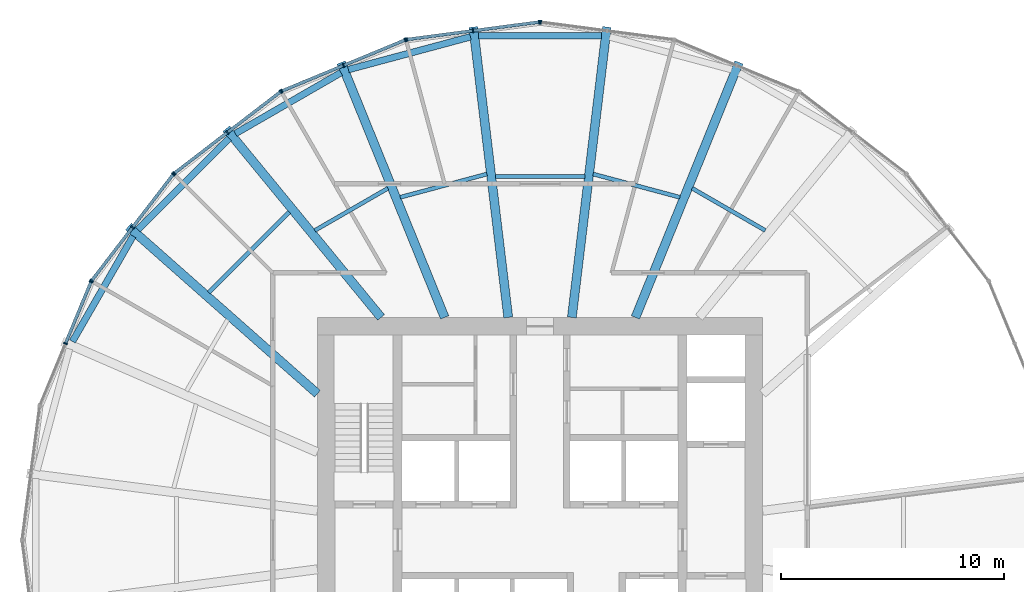
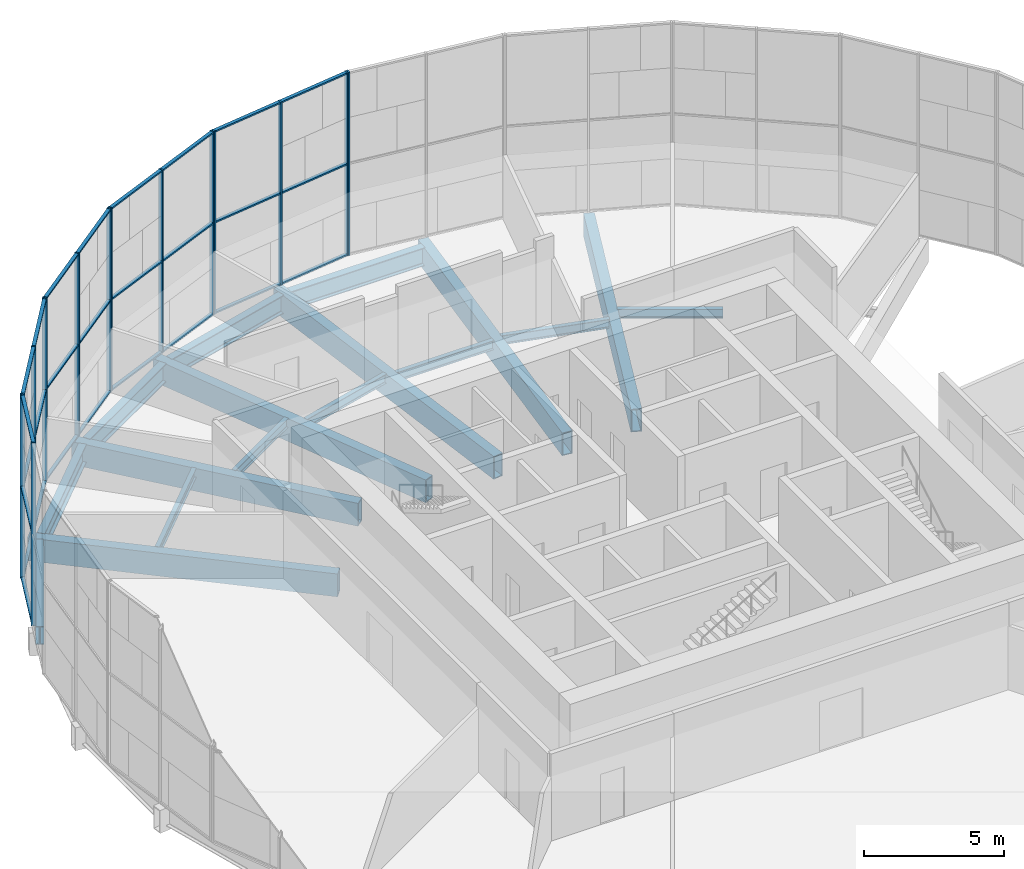
# One storey, part 6 of 18: 42 members, 17 beams, 6 elements without a shape of their own.
"""IFC4 building model written with IfcOpenShell, lengths in metres."""

from ifc_helpers import new_model, si_unit, direction, frame, origin, origin_2d, place, context, subcontext, project, spatial, rectangle, hollow_rectangle, i_section, extrude, material, material_profile, profile_set, type_object, element, aggregate, save


model = new_model("IFC4")

# Units and contexts
model_context = context("Model", 3, precision=1e-05, world=origin(), true_north=direction((0.0, 1.0)))
body_context = subcontext(model_context, "Body", "Model", "MODEL_VIEW")
ifc_project = project(units=[si_unit("LENGTHUNIT", "METRE"), si_unit("AREAUNIT", "SQUARE_METRE"), si_unit("VOLUMEUNIT", "CUBIC_METRE"), si_unit("PLANEANGLEUNIT", "RADIAN"), si_unit("MASSUNIT", "GRAM", prefix="KILO")], contexts=[model_context])

# Site, building, storey
site_placement = place(None, origin())
site = spatial("IfcSite", under=ifc_project, at=site_placement, CompositionType="ELEMENT")
building_placement = place(site_placement, origin())
building = spatial("IfcBuilding", under=site, at=building_placement, Name="Golbaran Civic Tower", CompositionType="ELEMENT")
storey_placement = place(building_placement, frame((0.0, 0.0, 45.0)))
storey = spatial("IfcBuildingStorey", under=building, at=storey_placement, Name="L10", CompositionType="ELEMENT", Elevation=45.0)

# Beams
ifc_material_1 = material(Name="Steel S355", Category="steel")
ifc_material_profile_1 = material_profile(ifc_material_1, i_section(OverallWidth=0.300048828125, OverallDepth=0.800048828125, WebThickness=0.017578125, FlangeThickness=0.032958984375, FilletRadius=0.030029296875, at=origin_2d()), Name="HEB 800")
ifc_profile_set_1 = profile_set([ifc_material_profile_1], Name="Steel S355")
beam_type_1 = type_object("IfcBeamType", Name="EDGE BEAM HEB 800", PredefinedType="BEAM", material=ifc_profile_set_1)
beam_1_placement = place(storey_placement, frame((2.770751953125, 22.650390625, -0.60009765625), z_axis=(-1.0, 0.0, 0.0), x_axis=(0.0, -1.0, 0.0)))
element("IfcBeam", 1, at=beam_1_placement, inside=storey, type_object=beam_type_1, Name="Edge beam 82.60 L10", PredefinedType="BEAM", context=body_context, shape_type="SweptSolid", body=[
    extrude(i_section(OverallWidth=0.300048828125, OverallDepth=0.800048828125, WebThickness=0.017578125, FlangeThickness=0.032958984375, FilletRadius=0.030029296875, at=origin_2d()), origin(), (0.0, 0.0, 1.0), 5.54150390625),
])
beam_2_placement = place(storey_placement, frame((-3.127685546875, 22.603271484375, -0.60009765625), z_axis=(-0.965816844102, -0.259225430173, 0.0), x_axis=(0.259225430173, -0.965816844102, 0.0)))
element("IfcBeam", 2, at=beam_2_placement, inside=storey, type_object=beam_type_1, Name="Edge beam 97.40 L10", PredefinedType="BEAM", context=body_context, shape_type="SweptSolid", body=[
    extrude(i_section(OverallWidth=0.300048828125, OverallDepth=0.800048828125, WebThickness=0.017578125, FlangeThickness=0.032958984375, FilletRadius=0.030029296875, at=origin_2d()), origin(), (0.0, 0.0, 1.0), 5.67724609375),
])
beam_3_placement = place(storey_placement, frame((-8.943603515625, 20.993896484375, -0.60009765625), z_axis=(-0.866313230191, -0.499501138334, 0.0), x_axis=(0.499501138334, -0.866313230191, 0.0)))
element("IfcBeam", 3, at=beam_3_placement, inside=storey, type_object=beam_type_1, Name="Edge beam 112.60 L10", PredefinedType="BEAM", context=body_context, shape_type="SweptSolid", body=[
    extrude(i_section(OverallWidth=0.300048828125, OverallDepth=0.800048828125, WebThickness=0.017578125, FlangeThickness=0.032958984375, FilletRadius=0.030029296875, at=origin_2d()), origin(), (0.0, 0.0, 1.0), 5.4755859375),
])
beam_4_placement = place(storey_placement, frame((-13.97314453125, 18.03955078125, -0.60009765625), z_axis=(-0.706495106586, -0.707717927122, 0.0), x_axis=(0.707717927122, -0.706495106586, 0.0)))
element("IfcBeam", 4, at=beam_4_placement, inside=storey, type_object=beam_type_1, Name="Edge beam 127.40 L10", PredefinedType="BEAM", context=body_context, shape_type="SweptSolid", body=[
    extrude(i_section(OverallWidth=0.300048828125, OverallDepth=0.800048828125, WebThickness=0.017578125, FlangeThickness=0.032958984375, FilletRadius=0.030029296875, at=origin_2d()), origin(), (0.0, 0.0, 1.0), 5.7900390625),
])
beam_5_placement = place(storey_placement, frame((-18.28271484375, 13.655029296875, -0.60009765625), z_axis=(-0.498279627298, -0.86701638567, 0.0), x_axis=(0.86701638567, -0.498279627298, 0.0)))
element("IfcBeam", 5, at=beam_5_placement, inside=storey, type_object=beam_type_1, Name="Edge beam 142.60 L10", PredefinedType="BEAM", context=body_context, shape_type="SweptSolid", body=[
    extrude(i_section(OverallWidth=0.300048828125, OverallDepth=0.800048828125, WebThickness=0.017578125, FlangeThickness=0.032958984375, FilletRadius=0.030029296875, at=origin_2d()), origin(), (0.0, 0.0, 1.0), 5.461669921875),
])
ifc_material_profile_2 = material_profile(ifc_material_1, i_section(OverallWidth=0.179931640625, OverallDepth=0.39990234375, WebThickness=0.008544921875, FlangeThickness=0.013427734375, FilletRadius=0.02099609375, at=origin_2d()), Name="IPE 400")
ifc_profile_set_2 = profile_set([ifc_material_profile_2], Name="Steel S355")
beam_type_2 = type_object("IfcBeamType", Name="FLOOR INFILL BEAM IPE 400", PredefinedType="BEAM", material=ifc_profile_set_2)
beam_6_placement = place(storey_placement, frame((10.115478515625, 13.90625, -0.39990234375), z_axis=(-0.866049280635, 0.499958641801, 0.0), x_axis=(-0.499958641801, -0.866049280635, 0.0)))
element("IfcBeam", 6, at=beam_6_placement, inside=storey, type_object=beam_type_2, Name="Infill beam 60.00 L10", PredefinedType="BEAM", context=body_context, shape_type="SweptSolid", body=[
    extrude(i_section(OverallWidth=0.179931640625, OverallDepth=0.39990234375, WebThickness=0.008544921875, FlangeThickness=0.013427734375, FilletRadius=0.02099609375, at=origin_2d()), origin(), (0.0, 0.0, 1.0), 3.787841796875),
])
beam_7_placement = place(storey_placement, frame((6.2822265625, 15.395751953125, -0.39990234375), z_axis=(-0.965921848055, 0.258833891619, 0.0), x_axis=(-0.258833891619, -0.965921848055, 0.0)))
element("IfcBeam", 7, at=beam_7_placement, inside=storey, type_object=beam_type_2, Name="Infill beam 75.00 L10", PredefinedType="BEAM", context=body_context, shape_type="SweptSolid", body=[
    extrude(i_section(OverallWidth=0.179931640625, OverallDepth=0.39990234375, WebThickness=0.008544921875, FlangeThickness=0.013427734375, FilletRadius=0.02099609375, at=origin_2d()), origin(), (0.0, 0.0, 1.0), 4.0341796875),
])
beam_8_placement = place(storey_placement, frame((2.009033203125, 16.3251953125, -0.39990234375), z_axis=(-1.0, 0.0, 0.0), x_axis=(0.0, -1.0, 0.0)))
element("IfcBeam", 8, at=beam_8_placement, inside=storey, type_object=beam_type_2, Name="Infill beam 90.00 L10", PredefinedType="BEAM", context=body_context, shape_type="SweptSolid", body=[
    extrude(i_section(OverallWidth=0.179931640625, OverallDepth=0.39990234375, WebThickness=0.008544921875, FlangeThickness=0.013427734375, FilletRadius=0.02099609375, at=origin_2d()), origin(), (0.0, 0.0, 1.0), 4.01806640625),
])
beam_9_placement = place(storey_placement, frame((-2.385498046875, 16.43994140625, -0.39990234375), z_axis=(-0.965921848055, -0.258833891619, 0.0), x_axis=(0.258833891619, -0.965921848055, 0.0)))
element("IfcBeam", 9, at=beam_9_placement, inside=storey, type_object=beam_type_2, Name="Infill beam 105.00 L10", PredefinedType="BEAM", context=body_context, shape_type="SweptSolid", body=[
    extrude(i_section(OverallWidth=0.179931640625, OverallDepth=0.39990234375, WebThickness=0.008544921875, FlangeThickness=0.013427734375, FilletRadius=0.02099609375, at=origin_2d()), origin(), (0.0, 0.0, 1.0), 4.0341796875),
])
beam_10_placement = place(storey_placement, frame((-6.8349609375, 15.800048828125, -0.39990234375), z_axis=(-0.866049280635, -0.499958641801, 0.0), x_axis=(0.499958641801, -0.866049280635, 0.0)))
element("IfcBeam", 10, at=beam_10_placement, inside=storey, type_object=beam_type_2, Name="Infill beam 120.00 L10", PredefinedType="BEAM", context=body_context, shape_type="SweptSolid", body=[
    extrude(i_section(OverallWidth=0.179931640625, OverallDepth=0.39990234375, WebThickness=0.008544921875, FlangeThickness=0.013427734375, FilletRadius=0.02099609375, at=origin_2d()), origin(), (0.0, 0.0, 1.0), 3.787841796875),
])
beam_11_placement = place(storey_placement, frame((-11.264892578125, 14.739501953125, -0.39990234375), z_axis=(-0.707130665491, -0.707082896075, 0.0), x_axis=(0.707082896075, -0.707130665491, 0.0)))
element("IfcBeam", 11, at=beam_11_placement, inside=storey, type_object=beam_type_2, Name="Infill beam 135.00 L10", PredefinedType="BEAM", context=body_context, shape_type="SweptSolid", body=[
    extrude(i_section(OverallWidth=0.179931640625, OverallDepth=0.39990234375, WebThickness=0.008544921875, FlangeThickness=0.013427734375, FilletRadius=0.02099609375, at=origin_2d()), origin(), (0.0, 0.0, 1.0), 5.11083984375),
])

# Curtain wall, member
ifc_material_2 = material(Name="Aluminium and glass", Category="aluminium")
curtain_wall_type = type_object("IfcCurtainWallType", Name="INNER SKIN CURTAIN WALL", PredefinedType="NOTDEFINED", material=ifc_material_2)
curtain_wall_1_placement = place(storey_placement, origin())
curtain_wall_1 = element("IfcCurtainWall", 12, at=curtain_wall_1_placement, inside=storey, type_object=curtain_wall_type, Name="Inner skin L10 facet 6 CW1", ObjectType="INNER SKIN", PredefinedType="USERDEFINED")
ifc_material_3 = material(Name="Aluminium", Category="aluminium")
ifc_material_profile_3 = material_profile(ifc_material_3, rectangle(XDim=0.179931640625, YDim=0.06494140625, at=origin_2d()), Name="INNER SKIN CURTAIN WALL MULLION")
ifc_profile_set_3 = profile_set([ifc_material_profile_3], Name="Aluminium")
member_type_1 = type_object("IfcMemberType", Name="INNER SKIN CURTAIN WALL MULLION", PredefinedType="MULLION", material=ifc_profile_set_3)
member_1_placement = place(storey_placement, frame((0.0322265625, 23.266845703125, 0.0), z_axis=(0.0, 0.0, 1.0), x_axis=(-0.130526192134, -0.991444861385, 0.0)))
member_1 = element("IfcMember", 13, at=member_1_placement, type_object=member_type_1, Name="CW1 mullion 3", PredefinedType="MULLION", context=body_context, shape_type="SweptSolid", body=[
    extrude(rectangle(XDim=0.179931640625, YDim=0.06494140625, at=origin_2d()), origin(), (0.0, 0.0, 1.0), 8.0),
])
aggregate(curtain_wall_1, [member_1])

# Curtain wall, members
curtain_wall_2_placement = place(storey_placement, origin())
curtain_wall_2 = element("IfcCurtainWall", 14, at=curtain_wall_2_placement, inside=storey, type_object=curtain_wall_type, Name="Inner skin L10 facet 7 CW1", ObjectType="INNER SKIN", PredefinedType="USERDEFINED")
member_2_placement = place(storey_placement, frame((-0.0322265625, 23.266845703125, 0.0), z_axis=(0.0, 0.0, 1.0), x_axis=(0.130526192134, -0.991444861385, 0.0)))
member_2 = element("IfcMember", 15, at=member_2_placement, type_object=member_type_1, Name="CW1 mullion 1", PredefinedType="MULLION", context=body_context, shape_type="SweptSolid", body=[
    extrude(rectangle(XDim=0.179931640625, YDim=0.06494140625, at=origin_2d()), origin(), (0.0, 0.0, 1.0), 8.0),
])
member_3_placement = place(storey_placement, frame((-3.011474609375, 22.87451171875, 0.0), z_axis=(0.0, 0.0, 1.0), x_axis=(0.130526192134, -0.991444861385, 0.0)))
member_3 = element("IfcMember", 16, at=member_3_placement, type_object=member_type_1, Name="CW1 mullion 2", PredefinedType="MULLION", context=body_context, shape_type="SweptSolid", body=[
    extrude(rectangle(XDim=0.179931640625, YDim=0.06494140625, at=origin_2d()), origin(), (0.0, 0.0, 1.0), 8.0),
])
member_4_placement = place(storey_placement, frame((-5.99072265625, 22.482421875, 0.0), z_axis=(0.0, 0.0, 1.0), x_axis=(0.130526192134, -0.991444861385, 0.0)))
member_4 = element("IfcMember", 17, at=member_4_placement, type_object=member_type_1, Name="CW1 mullion 3", PredefinedType="MULLION", context=body_context, shape_type="SweptSolid", body=[
    extrude(rectangle(XDim=0.179931640625, YDim=0.06494140625, at=origin_2d()), origin(), (0.0, 0.0, 1.0), 8.0),
])

curtain_wall_3_placement = place(storey_placement, origin())
curtain_wall_3 = element("IfcCurtainWall", 18, at=curtain_wall_3_placement, inside=storey, type_object=curtain_wall_type, Name="Inner skin L10 facet 8 CW1", ObjectType="INNER SKIN", PredefinedType="USERDEFINED")
member_5_placement = place(storey_placement, frame((-6.052978515625, 22.465576171875, 0.0), z_axis=(0.0, 0.0, 1.0), x_axis=(0.38268343251, -0.923879532451, 0.0)))
member_5 = element("IfcMember", 19, at=member_5_placement, type_object=member_type_1, Name="CW1 mullion 1", PredefinedType="MULLION", context=body_context, shape_type="SweptSolid", body=[
    extrude(rectangle(XDim=0.179931640625, YDim=0.06494140625, at=origin_2d()), origin(), (0.0, 0.0, 1.0), 8.0),
])
member_6_placement = place(storey_placement, frame((-8.829345703125, 21.315673828125, 0.0), z_axis=(0.0, 0.0, 1.0), x_axis=(0.38268343251, -0.923879532451, 0.0)))
member_6 = element("IfcMember", 20, at=member_6_placement, type_object=member_type_1, Name="CW1 mullion 2", PredefinedType="MULLION", context=body_context, shape_type="SweptSolid", body=[
    extrude(rectangle(XDim=0.179931640625, YDim=0.06494140625, at=origin_2d()), origin(), (0.0, 0.0, 1.0), 8.0),
])
member_7_placement = place(storey_placement, frame((-11.60546875, 20.165771484375, 0.0), z_axis=(0.0, 0.0, 1.0), x_axis=(0.38268343251, -0.923879532451, 0.0)))
member_7 = element("IfcMember", 21, at=member_7_placement, type_object=member_type_1, Name="CW1 mullion 3", PredefinedType="MULLION", context=body_context, shape_type="SweptSolid", body=[
    extrude(rectangle(XDim=0.179931640625, YDim=0.06494140625, at=origin_2d()), origin(), (0.0, 0.0, 1.0), 8.0),
])

curtain_wall_4_placement = place(storey_placement, origin())
curtain_wall_4 = element("IfcCurtainWall", 22, at=curtain_wall_4_placement, inside=storey, type_object=curtain_wall_type, Name="Inner skin L10 facet 9 CW1", ObjectType="INNER SKIN", PredefinedType="USERDEFINED")
member_8_placement = place(storey_placement, frame((-11.661376953125, 20.133544921875, 0.0), z_axis=(0.0, 0.0, 1.0), x_axis=(0.608761428953, -0.793353340334, 0.0)))
member_8 = element("IfcMember", 23, at=member_8_placement, type_object=member_type_1, Name="CW1 mullion 1", PredefinedType="MULLION", context=body_context, shape_type="SweptSolid", body=[
    extrude(rectangle(XDim=0.179931640625, YDim=0.06494140625, at=origin_2d()), origin(), (0.0, 0.0, 1.0), 8.0),
])
member_9_placement = place(storey_placement, frame((-14.04541015625, 18.30419921875, 0.0), z_axis=(0.0, 0.0, 1.0), x_axis=(0.608761428953, -0.793353340334, 0.0)))
member_9 = element("IfcMember", 24, at=member_9_placement, type_object=member_type_1, Name="CW1 mullion 2", PredefinedType="MULLION", context=body_context, shape_type="SweptSolid", body=[
    extrude(rectangle(XDim=0.179931640625, YDim=0.06494140625, at=origin_2d()), origin(), (0.0, 0.0, 1.0), 8.0),
])
member_10_placement = place(storey_placement, frame((-16.42919921875, 16.474853515625, 0.0), z_axis=(0.0, 0.0, 1.0), x_axis=(0.608761428953, -0.793353340334, 0.0)))
member_10 = element("IfcMember", 25, at=member_10_placement, type_object=member_type_1, Name="CW1 mullion 3", PredefinedType="MULLION", context=body_context, shape_type="SweptSolid", body=[
    extrude(rectangle(XDim=0.179931640625, YDim=0.06494140625, at=origin_2d()), origin(), (0.0, 0.0, 1.0), 8.0),
])

curtain_wall_5_placement = place(storey_placement, origin())
curtain_wall_5 = element("IfcCurtainWall", 26, at=curtain_wall_5_placement, inside=storey, type_object=curtain_wall_type, Name="Inner skin L10 facet 10 CW1", ObjectType="INNER SKIN", PredefinedType="USERDEFINED")
member_11_placement = place(storey_placement, frame((-16.474853515625, 16.42919921875, 0.0), z_axis=(0.0, 0.0, 1.0), x_axis=(0.793353340334, -0.608761428953, 0.0)))
member_11 = element("IfcMember", 27, at=member_11_placement, type_object=member_type_1, Name="CW1 mullion 1", PredefinedType="MULLION", context=body_context, shape_type="SweptSolid", body=[
    extrude(rectangle(XDim=0.179931640625, YDim=0.06494140625, at=origin_2d()), origin(), (0.0, 0.0, 1.0), 8.0),
])
member_12_placement = place(storey_placement, frame((-18.30419921875, 14.04541015625, 0.0), z_axis=(0.0, 0.0, 1.0), x_axis=(0.793353340334, -0.608761428953, 0.0)))
member_12 = element("IfcMember", 28, at=member_12_placement, type_object=member_type_1, Name="CW1 mullion 2", PredefinedType="MULLION", context=body_context, shape_type="SweptSolid", body=[
    extrude(rectangle(XDim=0.179931640625, YDim=0.06494140625, at=origin_2d()), origin(), (0.0, 0.0, 1.0), 8.0),
])
member_13_placement = place(storey_placement, frame((-20.133544921875, 11.661376953125, 0.0), z_axis=(0.0, 0.0, 1.0), x_axis=(0.793353340334, -0.608761428953, 0.0)))
member_13 = element("IfcMember", 29, at=member_13_placement, type_object=member_type_1, Name="CW1 mullion 3", PredefinedType="MULLION", context=body_context, shape_type="SweptSolid", body=[
    extrude(rectangle(XDim=0.179931640625, YDim=0.06494140625, at=origin_2d()), origin(), (0.0, 0.0, 1.0), 8.0),
])

curtain_wall_6_placement = place(storey_placement, origin())
curtain_wall_6 = element("IfcCurtainWall", 30, at=curtain_wall_6_placement, inside=storey, type_object=curtain_wall_type, Name="Inner skin L10 facet 11 CW1", ObjectType="INNER SKIN", PredefinedType="USERDEFINED")
member_14_placement = place(storey_placement, frame((-20.165771484375, 11.60546875, 0.0), z_axis=(0.0, 0.0, 1.0), x_axis=(0.923879532451, -0.38268343251, 0.0)))
member_14 = element("IfcMember", 31, at=member_14_placement, type_object=member_type_1, Name="CW1 mullion 1", PredefinedType="MULLION", context=body_context, shape_type="SweptSolid", body=[
    extrude(rectangle(XDim=0.179931640625, YDim=0.06494140625, at=origin_2d()), origin(), (0.0, 0.0, 1.0), 8.0),
])
member_15_placement = place(storey_placement, frame((-21.315673828125, 8.829345703125, 0.0), z_axis=(0.0, 0.0, 1.0), x_axis=(0.923879532451, -0.38268343251, 0.0)))
member_15 = element("IfcMember", 32, at=member_15_placement, type_object=member_type_1, Name="CW1 mullion 2", PredefinedType="MULLION", context=body_context, shape_type="SweptSolid", body=[
    extrude(rectangle(XDim=0.179931640625, YDim=0.06494140625, at=origin_2d()), origin(), (0.0, 0.0, 1.0), 8.0),
])

# Member
ifc_material_profile_4 = material_profile(ifc_material_3, rectangle(XDim=0.139892578125, YDim=0.06494140625, at=origin_2d()), Name="INNER SKIN CURTAIN WALL TRANSOM")
ifc_profile_set_4 = profile_set([ifc_material_profile_4], Name="Aluminium")
member_type_2 = type_object("IfcMemberType", Name="INNER SKIN CURTAIN WALL TRANSOM", PredefinedType="USERDEFINED", material=ifc_profile_set_4)
member_16_placement = place(storey_placement, frame((-0.064453125, 23.262451171875, 0.032470703125), z_axis=(-0.99144270301, -0.130542585571, 0.0), x_axis=(0.130542585571, -0.99144270301, 0.0)))
member_16 = element("IfcMember", 33, at=member_16_placement, type_object=member_type_2, Name="CW1 transom 1.1", ObjectType="TRANSOM", PredefinedType="USERDEFINED", context=body_context, shape_type="SweptSolid", body=[
    extrude(rectangle(XDim=0.139892578125, YDim=0.06494140625, at=origin_2d()), origin(), (0.0, 0.0, 1.0), 2.93994140625),
])

member_17_placement = place(storey_placement, frame((-0.064453125, 23.262451171875, 4.0), z_axis=(-0.99144270301, -0.130542585571, 0.0), x_axis=(0.130542585571, -0.99144270301, 0.0)))
member_17 = element("IfcMember", 34, at=member_17_placement, type_object=member_type_2, Name="CW1 transom 1.2", ObjectType="TRANSOM", PredefinedType="USERDEFINED", context=body_context, shape_type="SweptSolid", body=[
    extrude(rectangle(XDim=0.139892578125, YDim=0.06494140625, at=origin_2d()), origin(), (0.0, 0.0, 1.0), 2.93994140625),
])

member_18_placement = place(storey_placement, frame((-0.064453125, 23.262451171875, 7.967529296875), z_axis=(-0.99144270301, -0.130542585571, 0.0), x_axis=(0.130542585571, -0.99144270301, 0.0)))
member_18 = element("IfcMember", 35, at=member_18_placement, type_object=member_type_2, Name="CW1 transom 1.3", ObjectType="TRANSOM", PredefinedType="USERDEFINED", context=body_context, shape_type="SweptSolid", body=[
    extrude(rectangle(XDim=0.139892578125, YDim=0.06494140625, at=origin_2d()), origin(), (0.0, 0.0, 1.0), 2.93994140625),
])

member_19_placement = place(storey_placement, frame((-3.043701171875, 22.870361328125, 0.032470703125), z_axis=(-0.99144270301, -0.130542585571, 0.0), x_axis=(0.130542585571, -0.99144270301, 0.0)))
member_19 = element("IfcMember", 36, at=member_19_placement, type_object=member_type_2, Name="CW1 transom 2.1", ObjectType="TRANSOM", PredefinedType="USERDEFINED", context=body_context, shape_type="SweptSolid", body=[
    extrude(rectangle(XDim=0.139892578125, YDim=0.06494140625, at=origin_2d()), origin(), (0.0, 0.0, 1.0), 2.93994140625),
])

member_20_placement = place(storey_placement, frame((-3.043701171875, 22.870361328125, 4.0), z_axis=(-0.99144270301, -0.130542585571, 0.0), x_axis=(0.130542585571, -0.99144270301, 0.0)))
member_20 = element("IfcMember", 37, at=member_20_placement, type_object=member_type_2, Name="CW1 transom 2.2", ObjectType="TRANSOM", PredefinedType="USERDEFINED", context=body_context, shape_type="SweptSolid", body=[
    extrude(rectangle(XDim=0.139892578125, YDim=0.06494140625, at=origin_2d()), origin(), (0.0, 0.0, 1.0), 2.93994140625),
])

member_21_placement = place(storey_placement, frame((-3.043701171875, 22.870361328125, 7.967529296875), z_axis=(-0.99144270301, -0.130542585571, 0.0), x_axis=(0.130542585571, -0.99144270301, 0.0)))
member_21 = element("IfcMember", 38, at=member_21_placement, type_object=member_type_2, Name="CW1 transom 2.3", ObjectType="TRANSOM", PredefinedType="USERDEFINED", context=body_context, shape_type="SweptSolid", body=[
    extrude(rectangle(XDim=0.139892578125, YDim=0.06494140625, at=origin_2d()), origin(), (0.0, 0.0, 1.0), 2.93994140625),
])

aggregate(curtain_wall_2, [member_2, member_3, member_4, member_16, member_17, member_18, member_19, member_20, member_21])

member_22_placement = place(storey_placement, frame((-6.0830078125, 22.453125, 0.032470703125), z_axis=(-0.923895388275, -0.382645150923, 0.0), x_axis=(0.382645150923, -0.923895388275, 0.0)))
member_22 = element("IfcMember", 39, at=member_22_placement, type_object=member_type_2, Name="CW1 transom 1.1", ObjectType="TRANSOM", PredefinedType="USERDEFINED", context=body_context, shape_type="SweptSolid", body=[
    extrude(rectangle(XDim=0.139892578125, YDim=0.06494140625, at=origin_2d()), origin(), (0.0, 0.0, 1.0), 2.93994140625),
])

member_23_placement = place(storey_placement, frame((-6.0830078125, 22.453125, 4.0), z_axis=(-0.923895388275, -0.382645150923, 0.0), x_axis=(0.382645150923, -0.923895388275, 0.0)))
member_23 = element("IfcMember", 40, at=member_23_placement, type_object=member_type_2, Name="CW1 transom 1.2", ObjectType="TRANSOM", PredefinedType="USERDEFINED", context=body_context, shape_type="SweptSolid", body=[
    extrude(rectangle(XDim=0.139892578125, YDim=0.06494140625, at=origin_2d()), origin(), (0.0, 0.0, 1.0), 2.93994140625),
])

member_24_placement = place(storey_placement, frame((-6.0830078125, 22.453125, 7.967529296875), z_axis=(-0.923895388275, -0.382645150923, 0.0), x_axis=(0.382645150923, -0.923895388275, 0.0)))
member_24 = element("IfcMember", 41, at=member_24_placement, type_object=member_type_2, Name="CW1 transom 1.3", ObjectType="TRANSOM", PredefinedType="USERDEFINED", context=body_context, shape_type="SweptSolid", body=[
    extrude(rectangle(XDim=0.139892578125, YDim=0.06494140625, at=origin_2d()), origin(), (0.0, 0.0, 1.0), 2.93994140625),
])

member_25_placement = place(storey_placement, frame((-8.859375, 21.30322265625, 0.032470703125), z_axis=(-0.923883228482, -0.38267450938, 0.0), x_axis=(0.38267450938, -0.923883228482, 0.0)))
member_25 = element("IfcMember", 42, at=member_25_placement, type_object=member_type_2, Name="CW1 transom 2.1", ObjectType="TRANSOM", PredefinedType="USERDEFINED", context=body_context, shape_type="SweptSolid", body=[
    extrude(rectangle(XDim=0.139892578125, YDim=0.06494140625, at=origin_2d()), origin(), (0.0, 0.0, 1.0), 2.93994140625),
])

member_26_placement = place(storey_placement, frame((-8.859375, 21.30322265625, 4.0), z_axis=(-0.923883228482, -0.38267450938, 0.0), x_axis=(0.38267450938, -0.923883228482, 0.0)))
member_26 = element("IfcMember", 43, at=member_26_placement, type_object=member_type_2, Name="CW1 transom 2.2", ObjectType="TRANSOM", PredefinedType="USERDEFINED", context=body_context, shape_type="SweptSolid", body=[
    extrude(rectangle(XDim=0.139892578125, YDim=0.06494140625, at=origin_2d()), origin(), (0.0, 0.0, 1.0), 2.93994140625),
])

member_27_placement = place(storey_placement, frame((-8.859375, 21.30322265625, 7.967529296875), z_axis=(-0.923883228482, -0.38267450938, 0.0), x_axis=(0.38267450938, -0.923883228482, 0.0)))
member_27 = element("IfcMember", 44, at=member_27_placement, type_object=member_type_2, Name="CW1 transom 2.3", ObjectType="TRANSOM", PredefinedType="USERDEFINED", context=body_context, shape_type="SweptSolid", body=[
    extrude(rectangle(XDim=0.139892578125, YDim=0.06494140625, at=origin_2d()), origin(), (0.0, 0.0, 1.0), 2.93994140625),
])

aggregate(curtain_wall_3, [member_5, member_6, member_7, member_22, member_23, member_24, member_25, member_26, member_27])

member_28_placement = place(storey_placement, frame((-11.68701171875, 20.11376953125, 0.032470703125), z_axis=(-0.793355026419, -0.608759231597, 0.0), x_axis=(0.608759231597, -0.793355026419, 0.0)))
member_28 = element("IfcMember", 45, at=member_28_placement, type_object=member_type_2, Name="CW1 transom 1.1", ObjectType="TRANSOM", PredefinedType="USERDEFINED", context=body_context, shape_type="SweptSolid", body=[
    extrude(rectangle(XDim=0.139892578125, YDim=0.06494140625, at=origin_2d()), origin(), (0.0, 0.0, 1.0), 2.940185546875),
])

member_29_placement = place(storey_placement, frame((-11.68701171875, 20.11376953125, 4.0), z_axis=(-0.793355026419, -0.608759231597, 0.0), x_axis=(0.608759231597, -0.793355026419, 0.0)))
member_29 = element("IfcMember", 46, at=member_29_placement, type_object=member_type_2, Name="CW1 transom 1.2", ObjectType="TRANSOM", PredefinedType="USERDEFINED", context=body_context, shape_type="SweptSolid", body=[
    extrude(rectangle(XDim=0.139892578125, YDim=0.06494140625, at=origin_2d()), origin(), (0.0, 0.0, 1.0), 2.940185546875),
])

member_30_placement = place(storey_placement, frame((-11.68701171875, 20.11376953125, 7.967529296875), z_axis=(-0.793355026419, -0.608759231597, 0.0), x_axis=(0.608759231597, -0.793355026419, 0.0)))
member_30 = element("IfcMember", 47, at=member_30_placement, type_object=member_type_2, Name="CW1 transom 1.3", ObjectType="TRANSOM", PredefinedType="USERDEFINED", context=body_context, shape_type="SweptSolid", body=[
    extrude(rectangle(XDim=0.139892578125, YDim=0.06494140625, at=origin_2d()), origin(), (0.0, 0.0, 1.0), 2.940185546875),
])

member_31_placement = place(storey_placement, frame((-14.071044921875, 18.284423828125, 0.032470703125), z_axis=(-0.793355026419, -0.608759231597, 0.0), x_axis=(0.608759231597, -0.793355026419, 0.0)))
member_31 = element("IfcMember", 48, at=member_31_placement, type_object=member_type_2, Name="CW1 transom 2.1", ObjectType="TRANSOM", PredefinedType="USERDEFINED", context=body_context, shape_type="SweptSolid", body=[
    extrude(rectangle(XDim=0.139892578125, YDim=0.06494140625, at=origin_2d()), origin(), (0.0, 0.0, 1.0), 2.940185546875),
])

member_32_placement = place(storey_placement, frame((-14.071044921875, 18.284423828125, 4.0), z_axis=(-0.793355026419, -0.608759231597, 0.0), x_axis=(0.608759231597, -0.793355026419, 0.0)))
member_32 = element("IfcMember", 49, at=member_32_placement, type_object=member_type_2, Name="CW1 transom 2.2", ObjectType="TRANSOM", PredefinedType="USERDEFINED", context=body_context, shape_type="SweptSolid", body=[
    extrude(rectangle(XDim=0.139892578125, YDim=0.06494140625, at=origin_2d()), origin(), (0.0, 0.0, 1.0), 2.940185546875),
])

member_33_placement = place(storey_placement, frame((-14.071044921875, 18.284423828125, 7.967529296875), z_axis=(-0.793355026419, -0.608759231597, 0.0), x_axis=(0.608759231597, -0.793355026419, 0.0)))
member_33 = element("IfcMember", 50, at=member_33_placement, type_object=member_type_2, Name="CW1 transom 2.3", ObjectType="TRANSOM", PredefinedType="USERDEFINED", context=body_context, shape_type="SweptSolid", body=[
    extrude(rectangle(XDim=0.139892578125, YDim=0.06494140625, at=origin_2d()), origin(), (0.0, 0.0, 1.0), 2.940185546875),
])

aggregate(curtain_wall_4, [member_8, member_9, member_10, member_28, member_29, member_30, member_31, member_32, member_33])

member_34_placement = place(storey_placement, frame((-16.49462890625, 16.403564453125, 0.032470703125), z_axis=(-0.608759231597, -0.793355026419, 0.0), x_axis=(0.793355026419, -0.608759231597, 0.0)))
member_34 = element("IfcMember", 51, at=member_34_placement, type_object=member_type_2, Name="CW1 transom 1.1", ObjectType="TRANSOM", PredefinedType="USERDEFINED", context=body_context, shape_type="SweptSolid", body=[
    extrude(rectangle(XDim=0.139892578125, YDim=0.06494140625, at=origin_2d()), origin(), (0.0, 0.0, 1.0), 2.940185546875),
])

member_35_placement = place(storey_placement, frame((-16.49462890625, 16.403564453125, 4.0), z_axis=(-0.608759231597, -0.793355026419, 0.0), x_axis=(0.793355026419, -0.608759231597, 0.0)))
member_35 = element("IfcMember", 52, at=member_35_placement, type_object=member_type_2, Name="CW1 transom 1.2", ObjectType="TRANSOM", PredefinedType="USERDEFINED", context=body_context, shape_type="SweptSolid", body=[
    extrude(rectangle(XDim=0.139892578125, YDim=0.06494140625, at=origin_2d()), origin(), (0.0, 0.0, 1.0), 2.940185546875),
])

member_36_placement = place(storey_placement, frame((-16.49462890625, 16.403564453125, 7.967529296875), z_axis=(-0.608759231597, -0.793355026419, 0.0), x_axis=(0.793355026419, -0.608759231597, 0.0)))
member_36 = element("IfcMember", 53, at=member_36_placement, type_object=member_type_2, Name="CW1 transom 1.3", ObjectType="TRANSOM", PredefinedType="USERDEFINED", context=body_context, shape_type="SweptSolid", body=[
    extrude(rectangle(XDim=0.139892578125, YDim=0.06494140625, at=origin_2d()), origin(), (0.0, 0.0, 1.0), 2.940185546875),
])

member_37_placement = place(storey_placement, frame((-18.323974609375, 14.01953125, 0.032470703125), z_axis=(-0.608759231597, -0.793355026419, 0.0), x_axis=(0.793355026419, -0.608759231597, 0.0)))
member_37 = element("IfcMember", 54, at=member_37_placement, type_object=member_type_2, Name="CW1 transom 2.1", ObjectType="TRANSOM", PredefinedType="USERDEFINED", context=body_context, shape_type="SweptSolid", body=[
    extrude(rectangle(XDim=0.139892578125, YDim=0.06494140625, at=origin_2d()), origin(), (0.0, 0.0, 1.0), 2.940185546875),
])

member_38_placement = place(storey_placement, frame((-18.323974609375, 14.01953125, 4.0), z_axis=(-0.608759231597, -0.793355026419, 0.0), x_axis=(0.793355026419, -0.608759231597, 0.0)))
member_38 = element("IfcMember", 55, at=member_38_placement, type_object=member_type_2, Name="CW1 transom 2.2", ObjectType="TRANSOM", PredefinedType="USERDEFINED", context=body_context, shape_type="SweptSolid", body=[
    extrude(rectangle(XDim=0.139892578125, YDim=0.06494140625, at=origin_2d()), origin(), (0.0, 0.0, 1.0), 2.940185546875),
])

member_39_placement = place(storey_placement, frame((-18.323974609375, 14.01953125, 7.967529296875), z_axis=(-0.608759231597, -0.793355026419, 0.0), x_axis=(0.793355026419, -0.608759231597, 0.0)))
member_39 = element("IfcMember", 56, at=member_39_placement, type_object=member_type_2, Name="CW1 transom 2.3", ObjectType="TRANSOM", PredefinedType="USERDEFINED", context=body_context, shape_type="SweptSolid", body=[
    extrude(rectangle(XDim=0.139892578125, YDim=0.06494140625, at=origin_2d()), origin(), (0.0, 0.0, 1.0), 2.940185546875),
])

aggregate(curtain_wall_5, [member_11, member_12, member_13, member_34, member_35, member_36, member_37, member_38, member_39])

member_40_placement = place(storey_placement, frame((-20.17822265625, 11.575439453125, 0.032470703125), z_axis=(-0.38267450938, -0.923883228482, 0.0), x_axis=(0.923883228482, -0.38267450938, 0.0)))
member_40 = element("IfcMember", 57, at=member_40_placement, type_object=member_type_2, Name="CW1 transom 1.1", ObjectType="TRANSOM", PredefinedType="USERDEFINED", context=body_context, shape_type="SweptSolid", body=[
    extrude(rectangle(XDim=0.139892578125, YDim=0.06494140625, at=origin_2d()), origin(), (0.0, 0.0, 1.0), 2.93994140625),
])

member_41_placement = place(storey_placement, frame((-20.17822265625, 11.575439453125, 4.0), z_axis=(-0.38267450938, -0.923883228482, 0.0), x_axis=(0.923883228482, -0.38267450938, 0.0)))
member_41 = element("IfcMember", 58, at=member_41_placement, type_object=member_type_2, Name="CW1 transom 1.2", ObjectType="TRANSOM", PredefinedType="USERDEFINED", context=body_context, shape_type="SweptSolid", body=[
    extrude(rectangle(XDim=0.139892578125, YDim=0.06494140625, at=origin_2d()), origin(), (0.0, 0.0, 1.0), 2.93994140625),
])

member_42_placement = place(storey_placement, frame((-20.17822265625, 11.575439453125, 7.967529296875), z_axis=(-0.38267450938, -0.923883228482, 0.0), x_axis=(0.923883228482, -0.38267450938, 0.0)))
member_42 = element("IfcMember", 59, at=member_42_placement, type_object=member_type_2, Name="CW1 transom 1.3", ObjectType="TRANSOM", PredefinedType="USERDEFINED", context=body_context, shape_type="SweptSolid", body=[
    extrude(rectangle(XDim=0.139892578125, YDim=0.06494140625, at=origin_2d()), origin(), (0.0, 0.0, 1.0), 2.93994140625),
])

aggregate(curtain_wall_6, [member_14, member_15, member_40, member_41, member_42])

# Beams
ifc_material_profile_5 = material_profile(ifc_material_1, hollow_rectangle(XDim=0.39990234375, YDim=1.0, WallThickness=0.0400390625, at=origin_2d()), Name="BOX 1000x400x40")
ifc_profile_set_5 = profile_set([ifc_material_profile_5], Name="Steel S355")
beam_type_3 = type_object("IfcBeamType", Name="RADIAL FLOOR BEAM BOX 1000x400x40", PredefinedType="BEAM", material=ifc_profile_set_5)
beam_12_placement = place(storey_placement, frame((4.28564453125, 10.0, -0.7099609375), z_axis=(0.376193235526, 0.926541229274, 0.0), x_axis=(-0.926541229274, 0.376193235526, 0.0)))
element("IfcBeam", 60, at=beam_12_placement, inside=storey, type_object=beam_type_3, Name="Radial beam 67.40 L10", PredefinedType="BEAM", context=body_context, shape_type="SweptSolid", body=[
    extrude(hollow_rectangle(XDim=0.39990234375, YDim=1.0, WallThickness=0.0400390625, at=origin_2d()), origin(), (0.0, 0.0, 1.0), 12.363037109375),
])
for number, where, z_axis, x_axis, name in (
    (61, (1.428466796875, 10.0, -0.7099609375), (0.119578930888, 0.992824697158, 0.0), (-0.992824697158, 0.119578930888, 0.0), "Radial beam 82.60 L10"),
    (62, (-1.428466796875, 10.0, -0.7099609375), (-0.119578930888, 0.992824697158, 0.0), (-0.992824697158, -0.119578930888, 0.0), "Radial beam 97.40 L10"),
):
    element("IfcBeam", number, at=place(storey_placement, frame(where, z_axis=z_axis, x_axis=x_axis)), inside=storey, type_object=beam_type_3, Name=name, PredefinedType="BEAM", context=body_context, shape_type="SweptSolid", body=[
        extrude(hollow_rectangle(XDim=0.39990234375, YDim=1.0, WallThickness=0.0400390625, at=origin_2d()), origin(), (0.0, 0.0, 1.0), 13.14013671875),
    ])
beam_13_placement = place(storey_placement, frame((-4.28564453125, 10.0, -0.7099609375), z_axis=(-0.376193235526, 0.926541229274, 0.0), x_axis=(-0.926541229274, -0.376193235526, 0.0)))
element("IfcBeam", 63, at=beam_13_placement, inside=storey, type_object=beam_type_3, Name="Radial beam 112.60 L10", PredefinedType="BEAM", context=body_context, shape_type="SweptSolid", body=[
    extrude(hollow_rectangle(XDim=0.39990234375, YDim=1.0, WallThickness=0.0400390625, at=origin_2d()), origin(), (0.0, 0.0, 1.0), 12.363037109375),
])
beam_14_placement = place(storey_placement, frame((-7.142822265625, 10.0, -0.7099609375), z_axis=(-0.634368120795, 0.77303110372, 0.0), x_axis=(-0.77303110372, -0.634368120795, 0.0)))
element("IfcBeam", 64, at=beam_14_placement, inside=storey, type_object=beam_type_3, Name="Radial beam 127.40 L10", PredefinedType="BEAM", context=body_context, shape_type="SweptSolid", body=[
    extrude(hollow_rectangle(XDim=0.39990234375, YDim=1.0, WallThickness=0.0400390625, at=origin_2d()), origin(), (0.0, 0.0, 1.0), 10.96728515625),
])
beam_15_placement = place(storey_placement, frame((-10.0, 6.571533203125, -0.7099609375), z_axis=(-0.749149421547, 0.662401044833, 0.0), x_axis=(-0.662401044833, -0.749149421547, 0.0)))
element("IfcBeam", 65, at=beam_15_placement, inside=storey, type_object=beam_type_3, Name="Radial beam 142.60 L10", PredefinedType="BEAM", context=body_context, shape_type="SweptSolid", body=[
    extrude(hollow_rectangle(XDim=0.39990234375, YDim=1.0, WallThickness=0.0400390625, at=origin_2d()), origin(), (0.0, 0.0, 1.0), 11.339111328125),
])

save(model, "model.ifc")
